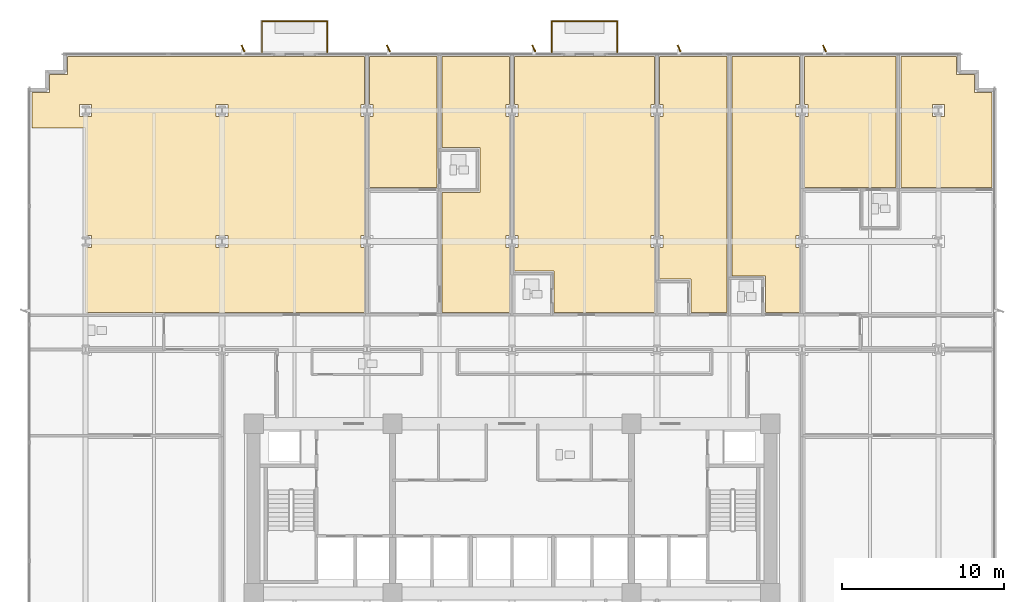
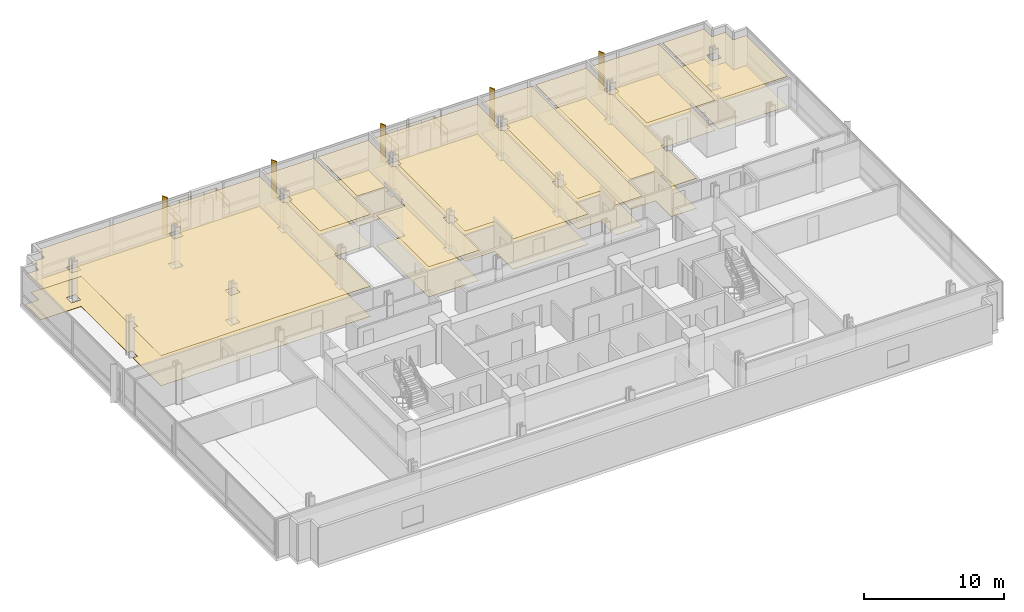
# One storey, part 16 of 17: 16 coverings, 6 railings, 5 shading devices.
"""IFC4 building model written with IfcOpenShell, lengths in metres."""

from ifc_helpers import new_model, si_unit, direction, frame, origin, origin_2d, place, context, subcontext, project, spatial, polyline, rectangle, circle, outline, extrude, material, layer, layer_set, type_object, element, save


model = new_model("IFC4")

# Units and contexts
model_context = context("Model", 3, precision=1e-05, world=origin(), true_north=direction((0.0, 1.0)))
body_context = subcontext(model_context, "Body", "Model", "MODEL_VIEW")
ifc_project = project(units=[si_unit("LENGTHUNIT", "METRE"), si_unit("AREAUNIT", "SQUARE_METRE"), si_unit("VOLUMEUNIT", "CUBIC_METRE"), si_unit("PLANEANGLEUNIT", "RADIAN"), si_unit("MASSUNIT", "GRAM", prefix="KILO")], contexts=[model_context])

# Site, building, storey
site_placement = place(None, origin())
site = spatial("IfcSite", under=ifc_project, at=site_placement, CompositionType="ELEMENT")
building_placement = place(site_placement, origin())
building = spatial("IfcBuilding", under=site, at=building_placement, Name="Solmavex Isthmus Hotel", CompositionType="ELEMENT")
storey_placement = place(building_placement, frame((0.0, 0.0, 47.10009765625)))
storey = spatial("IfcBuildingStorey", under=building, at=storey_placement, Name="L12", CompositionType="ELEMENT", Elevation=47.10009765625)

# Coverings
ifc_material_1 = material(Name="Gypsum plasterboard lining", Category="gypsum")
ifc_layer_1 = layer(ifc_material_1, 0.030029296875)
ifc_layer_set_1 = layer_set([ifc_layer_1], Name="Gypsum plasterboard lining")
covering_type_1 = type_object("IfcCoveringType", Name="COV-CEIL-GYP", PredefinedType="CEILING", material=ifc_layer_set_1)
covering_1_placement = place(storey_placement, frame((0.0, 0.0, 2.619873046875)))
element("IfcCovering", 1, at=covering_1_placement, inside=storey, type_object=covering_type_1, Name="Suspended Acoustic Ceiling L12-RM01", PredefinedType="CEILING", context=body_context, shape_type="SweptSolid", body=[
    extrude(outline(polyline([(-21.70703125, 4.385009765625), (-21.70703125, 4.405029296875), (-9.131103515625, 4.405029296875), (-9.131103515625, 8.407958984375), (-9.35595703125, 8.407958984375), (-9.35595703125, 9.16796875), (-9.131103515625, 9.16796875), (-9.131103515625, 16.52001953125), (-9.35595703125, 16.52001953125), (-9.35595703125, 17.280029296875), (-9.131103515625, 17.280029296875), (-9.131103515625, 20.22509765625), (-27.52490234375, 20.22509765625), (-27.52490234375, 19.125), (-28.625, 19.125), (-28.625, 18.02490234375), (-29.72509765625, 18.02490234375), (-29.72509765625, 15.800048828125), (-26.39990234375, 15.800048828125), (-26.39990234375, 9.16796875), (-26.02001953125, 9.16796875), (-26.02001953125, 8.407958984375), (-26.39990234375, 8.407958984375), (-26.39990234375, 4.385009765625), (-21.70703125, 4.385009765625)]), holes=[polyline([(-18.33203125, 8.407958984375), (-18.33203125, 9.16796875), (-17.572021484375, 9.16796875), (-17.572021484375, 8.407958984375), (-18.33203125, 8.407958984375)]), polyline([(-18.33203125, 17.280029296875), (-17.572021484375, 17.280029296875), (-17.572021484375, 16.52001953125), (-18.33203125, 16.52001953125), (-18.33203125, 17.280029296875)]), polyline([(-26.780029296875, 17.280029296875), (-26.02001953125, 17.280029296875), (-26.02001953125, 16.52001953125), (-26.780029296875, 16.52001953125), (-26.780029296875, 17.280029296875)])]), origin(), (0.0, 0.0, 1.0), 0.030029296875),
])
covering_2_placement = place(storey_placement, frame((0.0, 0.0, 2.619873046875)))
element("IfcCovering", 2, at=covering_2_placement, inside=storey, type_object=covering_type_1, Name="Suspended Acoustic Ceiling L12-SL02-BD", PredefinedType="CEILING", context=body_context, shape_type="SweptSolid", body=[
    extrude(outline(polyline([(-8.821044921875, 17.280029296875), (-8.595947265625, 17.280029296875), (-8.595947265625, 16.52001953125), (-8.821044921875, 16.52001953125), (-8.821044921875, 12.14306640625), (-4.64306640625, 12.14306640625), (-4.64306640625, 20.22509765625), (-8.821044921875, 20.22509765625), (-8.821044921875, 17.280029296875)])), origin(), (0.0, 0.0, 1.0), 0.030029296875),
])
covering_3_placement = place(storey_placement, frame((0.0, 0.0, 2.619873046875)))
element("IfcCovering", 3, at=covering_3_placement, inside=storey, type_object=covering_type_1, Name="Suspended Acoustic Ceiling L12-SV02", PredefinedType="CEILING", context=body_context, shape_type="SweptSolid", body=[
    extrude(outline(polyline([(-0.155029296875, 16.52001953125), (-0.3798828125, 16.52001953125), (-0.3798828125, 17.280029296875), (-0.155029296875, 17.280029296875), (-0.155029296875, 20.22509765625), (-4.3330078125, 20.22509765625), (-4.3330078125, 14.593017578125), (-1.98291015625, 14.593017578125), (-1.98291015625, 11.8330078125), (-4.3330078125, 11.8330078125), (-4.3330078125, 4.405029296875), (-0.155029296875, 4.405029296875), (-0.155029296875, 8.407958984375), (-0.3798828125, 8.407958984375), (-0.3798828125, 9.16796875), (-0.155029296875, 9.16796875), (-0.155029296875, 16.52001953125)])), origin(), (0.0, 0.0, 1.0), 0.030029296875),
])
covering_4_placement = place(storey_placement, frame((0.0, 0.0, 2.619873046875)))
element("IfcCovering", 4, at=covering_4_placement, inside=storey, type_object=covering_type_1, Name="Suspended Acoustic Ceiling L12-RM03", PredefinedType="CEILING", context=body_context, shape_type="SweptSolid", body=[
    extrude(outline(polyline([(0.155029296875, 9.16796875), (0.3798828125, 9.16796875), (0.3798828125, 8.407958984375), (0.155029296875, 8.407958984375), (0.155029296875, 6.955078125), (2.60498046875, 6.955078125), (2.60498046875, 4.405029296875), (8.821044921875, 4.405029296875), (8.821044921875, 8.407958984375), (8.595947265625, 8.407958984375), (8.595947265625, 9.16796875), (8.821044921875, 9.16796875), (8.821044921875, 16.52001953125), (8.595947265625, 16.52001953125), (8.595947265625, 17.280029296875), (8.821044921875, 17.280029296875), (8.821044921875, 20.22509765625), (0.155029296875, 20.22509765625), (0.155029296875, 17.280029296875), (0.3798828125, 17.280029296875), (0.3798828125, 16.52001953125), (0.155029296875, 16.52001953125), (0.155029296875, 9.16796875)])), origin(), (0.0, 0.0, 1.0), 0.030029296875),
])
covering_5_placement = place(storey_placement, frame((0.0, 0.0, 2.619873046875)))
element("IfcCovering", 5, at=covering_5_placement, inside=storey, type_object=covering_type_1, Name="Suspended Acoustic Ceiling L12-RM04", PredefinedType="CEILING", context=body_context, shape_type="SweptSolid", body=[
    extrude(outline(polyline([(9.131103515625, 9.16796875), (9.35595703125, 9.16796875), (9.35595703125, 8.407958984375), (9.131103515625, 8.407958984375), (9.131103515625, 6.455078125), (11.0810546875, 6.455078125), (11.0810546875, 4.405029296875), (13.30908203125, 4.405029296875), (13.30908203125, 20.22509765625), (9.131103515625, 20.22509765625), (9.131103515625, 17.280029296875), (9.35595703125, 17.280029296875), (9.35595703125, 16.52001953125), (9.131103515625, 16.52001953125), (9.131103515625, 9.16796875)])), origin(), (0.0, 0.0, 1.0), 0.030029296875),
])
covering_6_placement = place(storey_placement, frame((0.0, 0.0, 2.619873046875)))
element("IfcCovering", 6, at=covering_6_placement, inside=storey, type_object=covering_type_1, Name="Suspended Acoustic Ceiling L12-RM05", PredefinedType="CEILING", context=body_context, shape_type="SweptSolid", body=[
    extrude(outline(polyline([(17.797119140625, 16.52001953125), (17.572021484375, 16.52001953125), (17.572021484375, 17.280029296875), (17.797119140625, 17.280029296875), (17.797119140625, 20.22509765625), (13.618896484375, 20.22509765625), (13.618896484375, 6.655029296875), (15.68359375, 6.655029296875), (15.68359375, 4.405029296875), (17.797119140625, 4.405029296875), (17.797119140625, 8.407958984375), (17.572021484375, 8.407958984375), (17.572021484375, 9.16796875), (17.797119140625, 9.16796875), (17.797119140625, 16.52001953125)])), origin(), (0.0, 0.0, 1.0), 0.030029296875),
])
covering_7_placement = place(storey_placement, frame((0.0, 0.0, 2.619873046875)))
element("IfcCovering", 7, at=covering_7_placement, inside=storey, type_object=covering_type_1, Name="Suspended Acoustic Ceiling L12-TB06", PredefinedType="CEILING", context=body_context, shape_type="SweptSolid", body=[
    extrude(outline(polyline([(18.10693359375, 17.280029296875), (18.33203125, 17.280029296875), (18.33203125, 16.52001953125), (18.10693359375, 16.52001953125), (18.10693359375, 12.14306640625), (23.760986328125, 12.14306640625), (23.760986328125, 20.22509765625), (18.10693359375, 20.22509765625), (18.10693359375, 17.280029296875)])), origin(), (0.0, 0.0, 1.0), 0.030029296875),
])
covering_8_placement = place(storey_placement, frame((0.0, 0.0, 2.619873046875)))
element("IfcCovering", 8, at=covering_8_placement, inside=storey, type_object=covering_type_1, Name="Suspended Acoustic Ceiling L12-TL06", PredefinedType="CEILING", context=body_context, shape_type="SweptSolid", body=[
    extrude(outline(polyline([(27.52490234375, 19.125), (27.52490234375, 20.22509765625), (24.071044921875, 20.22509765625), (24.071044921875, 12.14306640625), (29.72509765625, 12.14306640625), (29.72509765625, 18.02490234375), (28.625, 18.02490234375), (28.625, 19.125), (27.52490234375, 19.125)]), holes=[polyline([(26.02001953125, 16.52001953125), (26.02001953125, 17.280029296875), (26.780029296875, 17.280029296875), (26.780029296875, 16.52001953125), (26.02001953125, 16.52001953125)])]), origin(), (0.0, 0.0, 1.0), 0.030029296875),
])
ifc_material_2 = material(Name="Travertine natural stone", Category="masonry")
ifc_layer_2 = layer(ifc_material_2, 0.02490234375)
ifc_layer_set_2 = layer_set([ifc_layer_2], Name="Travertine natural stone")
covering_type_2 = type_object("IfcCoveringType", Name="COV-FLOR-STN", PredefinedType="FLOORING", material=ifc_layer_set_2)
covering_9_placement = place(storey_placement, origin())
element("IfcCovering", 9, at=covering_9_placement, inside=storey, type_object=covering_type_2, Name="Stone and Timber Floor Finish L12-RM01", PredefinedType="FLOORING", context=body_context, shape_type="SweptSolid", body=[
    extrude(outline(polyline([(-21.70703125, 4.385009765625), (-21.70703125, 4.405029296875), (-9.131103515625, 4.405029296875), (-9.131103515625, 8.407958984375), (-9.35595703125, 8.407958984375), (-9.35595703125, 9.16796875), (-9.131103515625, 9.16796875), (-9.131103515625, 16.52001953125), (-9.35595703125, 16.52001953125), (-9.35595703125, 17.280029296875), (-9.131103515625, 17.280029296875), (-9.131103515625, 20.22509765625), (-27.52490234375, 20.22509765625), (-27.52490234375, 19.125), (-28.625, 19.125), (-28.625, 18.02490234375), (-29.72509765625, 18.02490234375), (-29.72509765625, 15.800048828125), (-26.39990234375, 15.800048828125), (-26.39990234375, 9.16796875), (-26.02001953125, 9.16796875), (-26.02001953125, 8.407958984375), (-26.39990234375, 8.407958984375), (-26.39990234375, 4.385009765625), (-21.70703125, 4.385009765625)]), holes=[polyline([(-18.33203125, 8.407958984375), (-18.33203125, 9.16796875), (-17.572021484375, 9.16796875), (-17.572021484375, 8.407958984375), (-18.33203125, 8.407958984375)]), polyline([(-18.33203125, 17.280029296875), (-17.572021484375, 17.280029296875), (-17.572021484375, 16.52001953125), (-18.33203125, 16.52001953125), (-18.33203125, 17.280029296875)]), polyline([(-26.780029296875, 17.280029296875), (-26.02001953125, 17.280029296875), (-26.02001953125, 16.52001953125), (-26.780029296875, 16.52001953125), (-26.780029296875, 17.280029296875)])]), origin(), (0.0, 0.0, 1.0), 0.02490234375),
])
covering_10_placement = place(storey_placement, origin())
element("IfcCovering", 10, at=covering_10_placement, inside=storey, type_object=covering_type_2, Name="Stone and Timber Floor Finish L12-SL02-BD", PredefinedType="FLOORING", context=body_context, shape_type="SweptSolid", body=[
    extrude(outline(polyline([(-8.821044921875, 17.280029296875), (-8.595947265625, 17.280029296875), (-8.595947265625, 16.52001953125), (-8.821044921875, 16.52001953125), (-8.821044921875, 12.14306640625), (-4.64306640625, 12.14306640625), (-4.64306640625, 20.22509765625), (-8.821044921875, 20.22509765625), (-8.821044921875, 17.280029296875)])), origin(), (0.0, 0.0, 1.0), 0.02490234375),
])
covering_11_placement = place(storey_placement, origin())
element("IfcCovering", 11, at=covering_11_placement, inside=storey, type_object=covering_type_2, Name="Stone and Timber Floor Finish L12-SV02", PredefinedType="FLOORING", context=body_context, shape_type="SweptSolid", body=[
    extrude(outline(polyline([(-0.155029296875, 16.52001953125), (-0.3798828125, 16.52001953125), (-0.3798828125, 17.280029296875), (-0.155029296875, 17.280029296875), (-0.155029296875, 20.22509765625), (-4.3330078125, 20.22509765625), (-4.3330078125, 14.593017578125), (-1.98291015625, 14.593017578125), (-1.98291015625, 11.8330078125), (-4.3330078125, 11.8330078125), (-4.3330078125, 4.405029296875), (-0.155029296875, 4.405029296875), (-0.155029296875, 8.407958984375), (-0.3798828125, 8.407958984375), (-0.3798828125, 9.16796875), (-0.155029296875, 9.16796875), (-0.155029296875, 16.52001953125)])), origin(), (0.0, 0.0, 1.0), 0.02490234375),
])
covering_12_placement = place(storey_placement, origin())
element("IfcCovering", 12, at=covering_12_placement, inside=storey, type_object=covering_type_2, Name="Stone and Timber Floor Finish L12-RM03", PredefinedType="FLOORING", context=body_context, shape_type="SweptSolid", body=[
    extrude(outline(polyline([(0.155029296875, 9.16796875), (0.3798828125, 9.16796875), (0.3798828125, 8.407958984375), (0.155029296875, 8.407958984375), (0.155029296875, 6.955078125), (2.60498046875, 6.955078125), (2.60498046875, 4.405029296875), (8.821044921875, 4.405029296875), (8.821044921875, 8.407958984375), (8.595947265625, 8.407958984375), (8.595947265625, 9.16796875), (8.821044921875, 9.16796875), (8.821044921875, 16.52001953125), (8.595947265625, 16.52001953125), (8.595947265625, 17.280029296875), (8.821044921875, 17.280029296875), (8.821044921875, 20.22509765625), (0.155029296875, 20.22509765625), (0.155029296875, 17.280029296875), (0.3798828125, 17.280029296875), (0.3798828125, 16.52001953125), (0.155029296875, 16.52001953125), (0.155029296875, 9.16796875)])), origin(), (0.0, 0.0, 1.0), 0.02490234375),
])
covering_13_placement = place(storey_placement, origin())
element("IfcCovering", 13, at=covering_13_placement, inside=storey, type_object=covering_type_2, Name="Stone and Timber Floor Finish L12-RM04", PredefinedType="FLOORING", context=body_context, shape_type="SweptSolid", body=[
    extrude(outline(polyline([(9.131103515625, 9.16796875), (9.35595703125, 9.16796875), (9.35595703125, 8.407958984375), (9.131103515625, 8.407958984375), (9.131103515625, 6.455078125), (11.0810546875, 6.455078125), (11.0810546875, 4.405029296875), (13.30908203125, 4.405029296875), (13.30908203125, 20.22509765625), (9.131103515625, 20.22509765625), (9.131103515625, 17.280029296875), (9.35595703125, 17.280029296875), (9.35595703125, 16.52001953125), (9.131103515625, 16.52001953125), (9.131103515625, 9.16796875)])), origin(), (0.0, 0.0, 1.0), 0.02490234375),
])
covering_14_placement = place(storey_placement, origin())
element("IfcCovering", 14, at=covering_14_placement, inside=storey, type_object=covering_type_2, Name="Stone and Timber Floor Finish L12-RM05", PredefinedType="FLOORING", context=body_context, shape_type="SweptSolid", body=[
    extrude(outline(polyline([(17.797119140625, 16.52001953125), (17.572021484375, 16.52001953125), (17.572021484375, 17.280029296875), (17.797119140625, 17.280029296875), (17.797119140625, 20.22509765625), (13.618896484375, 20.22509765625), (13.618896484375, 6.655029296875), (15.68359375, 6.655029296875), (15.68359375, 4.405029296875), (17.797119140625, 4.405029296875), (17.797119140625, 8.407958984375), (17.572021484375, 8.407958984375), (17.572021484375, 9.16796875), (17.797119140625, 9.16796875), (17.797119140625, 16.52001953125)])), origin(), (0.0, 0.0, 1.0), 0.02490234375),
])
covering_15_placement = place(storey_placement, origin())
element("IfcCovering", 15, at=covering_15_placement, inside=storey, type_object=covering_type_2, Name="Stone and Timber Floor Finish L12-TB06", PredefinedType="FLOORING", context=body_context, shape_type="SweptSolid", body=[
    extrude(outline(polyline([(18.10693359375, 17.280029296875), (18.33203125, 17.280029296875), (18.33203125, 16.52001953125), (18.10693359375, 16.52001953125), (18.10693359375, 12.14306640625), (23.760986328125, 12.14306640625), (23.760986328125, 20.22509765625), (18.10693359375, 20.22509765625), (18.10693359375, 17.280029296875)])), origin(), (0.0, 0.0, 1.0), 0.02490234375),
])
covering_16_placement = place(storey_placement, origin())
element("IfcCovering", 16, at=covering_16_placement, inside=storey, type_object=covering_type_2, Name="Stone and Timber Floor Finish L12-TL06", PredefinedType="FLOORING", context=body_context, shape_type="SweptSolid", body=[
    extrude(outline(polyline([(27.52490234375, 19.125), (27.52490234375, 20.22509765625), (24.071044921875, 20.22509765625), (24.071044921875, 12.14306640625), (29.72509765625, 12.14306640625), (29.72509765625, 18.02490234375), (28.625, 18.02490234375), (28.625, 19.125), (27.52490234375, 19.125)]), holes=[polyline([(26.02001953125, 16.52001953125), (26.02001953125, 17.280029296875), (26.780029296875, 17.280029296875), (26.780029296875, 16.52001953125), (26.02001953125, 16.52001953125)])]), origin(), (0.0, 0.0, 1.0), 0.02490234375),
])

# Railings
ifc_material_3 = material(Name="Clear low-E laminated glass", Category="glass")
ifc_layer_3 = layer(ifc_material_3, 0.070068359375)
ifc_layer_set_3 = layer_set([ifc_layer_3], Name="Clear low-E laminated glass")
railing_type = type_object("IfcRailingType", Name="RAIL-GUARD-1100", PredefinedType="BALUSTRADE", material=ifc_layer_set_3)
railing_1_placement = place(storey_placement, frame((-15.48388671875, 20.5, 0.0)))
element("IfcRailing", 17, at=railing_1_placement, inside=storey, type_object=railing_type, Name="Guardrail Balustrade L12-BAL1-01", PredefinedType="BALUSTRADE", context=body_context, shape_type="SweptSolid", body=[
    extrude(circle(Radius=0.02392578125, at=origin_2d()), frame((0.0, 0.0, 1.09619140625), z_axis=(0.0, 1.0, 0.0), x_axis=(-1.0, 0.0, 0.0)), (0.0, 0.0, 1.0), 1.919921875),
    extrude(circle(Radius=0.02392578125, at=origin_2d()), frame((0.0, 0.0, 0.56005859375), z_axis=(0.0, 1.0, 0.0), x_axis=(-1.0, 0.0, 0.0)), (0.0, 0.0, 1.0), 1.919921875),
    extrude(circle(Radius=0.02099609375, at=origin_2d()), origin(), (0.0, 0.0, 1.0), 1.072021484375),
    extrude(circle(Radius=0.02099609375, at=origin_2d()), frame((0.0, 0.9599609375, 0.0)), (0.0, 0.0, 1.0), 1.072021484375),
    extrude(circle(Radius=0.02099609375, at=origin_2d()), frame((0.0, 1.919921875, 0.0)), (0.0, 0.0, 1.0), 1.072021484375),
])
railing_2_placement = place(storey_placement, frame((-15.48388671875, 22.419921875, 0.0)))
element("IfcRailing", 18, at=railing_2_placement, inside=storey, type_object=railing_type, Name="Guardrail Balustrade L12-BAL1-02", PredefinedType="BALUSTRADE", context=body_context, shape_type="SweptSolid", body=[
    extrude(circle(Radius=0.02392578125, at=origin_2d()), frame((0.0, 0.0, 1.09619140625), z_axis=(1.0, 0.0, 0.0), x_axis=(0.0, 1.0, 0.0)), (0.0, 0.0, 1.0), 4.039794921875),
    extrude(circle(Radius=0.02392578125, at=origin_2d()), frame((0.0, 0.0, 0.56005859375), z_axis=(1.0, 0.0, 0.0), x_axis=(0.0, 1.0, 0.0)), (0.0, 0.0, 1.0), 4.039794921875),
    extrude(circle(Radius=0.02099609375, at=origin_2d()), origin(), (0.0, 0.0, 1.0), 1.072021484375),
    extrude(circle(Radius=0.02099609375, at=origin_2d()), frame((1.010009765625, 0.0, 0.0)), (0.0, 0.0, 1.0), 1.072021484375),
    extrude(circle(Radius=0.02099609375, at=origin_2d()), frame((2.02001953125, 0.0, 0.0)), (0.0, 0.0, 1.0), 1.072021484375),
    extrude(circle(Radius=0.02099609375, at=origin_2d()), frame((3.02978515625, 0.0, 0.0)), (0.0, 0.0, 1.0), 1.072021484375),
    extrude(circle(Radius=0.02099609375, at=origin_2d()), frame((4.039794921875, 0.0, 0.0)), (0.0, 0.0, 1.0), 1.072021484375),
])
railing_3_placement = place(storey_placement, frame((-11.444091796875, 22.419921875, 0.0)))
element("IfcRailing", 19, at=railing_3_placement, inside=storey, type_object=railing_type, Name="Guardrail Balustrade L12-BAL1-03", PredefinedType="BALUSTRADE", context=body_context, shape_type="SweptSolid", body=[
    extrude(circle(Radius=0.02392578125, at=origin_2d()), frame((0.0, 0.0, 1.09619140625), z_axis=(0.0, -1.0, 0.0), x_axis=(1.0, 0.0, 0.0)), (0.0, 0.0, 1.0), 1.919921875),
    extrude(circle(Radius=0.02392578125, at=origin_2d()), frame((0.0, 0.0, 0.56005859375), z_axis=(0.0, -1.0, 0.0), x_axis=(1.0, 0.0, 0.0)), (0.0, 0.0, 1.0), 1.919921875),
    extrude(circle(Radius=0.02099609375, at=origin_2d()), origin(), (0.0, 0.0, 1.0), 1.072021484375),
    extrude(circle(Radius=0.02099609375, at=origin_2d()), frame((0.0, -0.9599609375, 0.0)), (0.0, 0.0, 1.0), 1.072021484375),
    extrude(circle(Radius=0.02099609375, at=origin_2d()), frame((0.0, -1.919921875, 0.0)), (0.0, 0.0, 1.0), 1.072021484375),
])
railing_4_placement = place(storey_placement, frame((2.468017578125, 20.5, 0.0)))
element("IfcRailing", 20, at=railing_4_placement, inside=storey, type_object=railing_type, Name="Guardrail Balustrade L12-BAL2-01", PredefinedType="BALUSTRADE", context=body_context, shape_type="SweptSolid", body=[
    extrude(circle(Radius=0.02392578125, at=origin_2d()), frame((0.0, 0.0, 1.09619140625), z_axis=(0.0, 1.0, 0.0), x_axis=(-1.0, 0.0, 0.0)), (0.0, 0.0, 1.0), 1.919921875),
    extrude(circle(Radius=0.02392578125, at=origin_2d()), frame((0.0, 0.0, 0.56005859375), z_axis=(0.0, 1.0, 0.0), x_axis=(-1.0, 0.0, 0.0)), (0.0, 0.0, 1.0), 1.919921875),
    extrude(circle(Radius=0.02099609375, at=origin_2d()), origin(), (0.0, 0.0, 1.0), 1.072021484375),
    extrude(circle(Radius=0.02099609375, at=origin_2d()), frame((0.0, 0.9599609375, 0.0)), (0.0, 0.0, 1.0), 1.072021484375),
    extrude(circle(Radius=0.02099609375, at=origin_2d()), frame((0.0, 1.919921875, 0.0)), (0.0, 0.0, 1.0), 1.072021484375),
])
railing_5_placement = place(storey_placement, frame((2.468017578125, 22.419921875, 0.0)))
element("IfcRailing", 21, at=railing_5_placement, inside=storey, type_object=railing_type, Name="Guardrail Balustrade L12-BAL2-02", PredefinedType="BALUSTRADE", context=body_context, shape_type="SweptSolid", body=[
    extrude(circle(Radius=0.02392578125, at=origin_2d()), frame((0.0, 0.0, 1.09619140625), z_axis=(1.0, 0.0, 0.0), x_axis=(0.0, 1.0, 0.0)), (0.0, 0.0, 1.0), 4.0400390625),
    extrude(circle(Radius=0.02392578125, at=origin_2d()), frame((0.0, 0.0, 0.56005859375), z_axis=(1.0, 0.0, 0.0), x_axis=(0.0, 1.0, 0.0)), (0.0, 0.0, 1.0), 4.0400390625),
    extrude(circle(Radius=0.02099609375, at=origin_2d()), origin(), (0.0, 0.0, 1.0), 1.072021484375),
    extrude(circle(Radius=0.02099609375, at=origin_2d()), frame((1.010009765625, 0.0, 0.0)), (0.0, 0.0, 1.0), 1.072021484375),
    extrude(circle(Radius=0.02099609375, at=origin_2d()), frame((2.02001953125, 0.0, 0.0)), (0.0, 0.0, 1.0), 1.072021484375),
    extrude(circle(Radius=0.02099609375, at=origin_2d()), frame((3.030029296875, 0.0, 0.0)), (0.0, 0.0, 1.0), 1.072021484375),
    extrude(circle(Radius=0.02099609375, at=origin_2d()), frame((4.0400390625, 0.0, 0.0)), (0.0, 0.0, 1.0), 1.072021484375),
])
railing_6_placement = place(storey_placement, frame((6.508056640625, 22.419921875, 0.0)))
element("IfcRailing", 22, at=railing_6_placement, inside=storey, type_object=railing_type, Name="Guardrail Balustrade L12-BAL2-03", PredefinedType="BALUSTRADE", context=body_context, shape_type="SweptSolid", body=[
    extrude(circle(Radius=0.02392578125, at=origin_2d()), frame((0.0, 0.0, 1.09619140625), z_axis=(0.0, -1.0, 0.0), x_axis=(1.0, 0.0, 0.0)), (0.0, 0.0, 1.0), 1.919921875),
    extrude(circle(Radius=0.02392578125, at=origin_2d()), frame((0.0, 0.0, 0.56005859375), z_axis=(0.0, -1.0, 0.0), x_axis=(1.0, 0.0, 0.0)), (0.0, 0.0, 1.0), 1.919921875),
    extrude(circle(Radius=0.02099609375, at=origin_2d()), origin(), (0.0, 0.0, 1.0), 1.072021484375),
    extrude(circle(Radius=0.02099609375, at=origin_2d()), frame((0.0, -0.9599609375, 0.0)), (0.0, 0.0, 1.0), 1.072021484375),
    extrude(circle(Radius=0.02099609375, at=origin_2d()), frame((0.0, -1.919921875, 0.0)), (0.0, 0.0, 1.0), 1.072021484375),
])

# Shading devices
ifc_material_4 = material(Name="Aluminium alloy 6063-T6", Category="aluminium")
shading_device_type = type_object("IfcShadingDeviceType", Name="SHD-FIN-BRONZE", PredefinedType="USERDEFINED", material=ifc_material_4)
for number, where, z_axis, x_axis, name in (
    (23, (-16.64990234375, 20.739990234375, -0.14013671875), (0.0, 0.0, 1.0), (-0.438371146789, 0.898794046299, 0.0), "Anodised Aluminium Solar Fin L12-N1"),
    (24, (-7.64990234375, 20.739990234375, -0.14013671875), (0.0, 0.0, 1.0), (-0.438371146789, 0.898794046299, 0.0), "Anodised Aluminium Solar Fin L12-N2"),
    (25, (1.35009765625, 20.739990234375, -0.14013671875), (0.0, 0.0, 1.0), (-0.438371146789, 0.898794046299, 0.0), "Anodised Aluminium Solar Fin L12-N3"),
    (26, (10.35009765625, 20.739990234375, -0.14013671875), (0.0, 0.0, 1.0), (-0.438371146789, 0.898794046299, 0.0), "Anodised Aluminium Solar Fin L12-N4"),
    (27, (19.35009765625, 20.739990234375, -0.14013671875), (0.0, 0.0, 1.0), (-0.438371146789, 0.898794046299, 0.0), "Anodised Aluminium Solar Fin L12-N5"),
):
    element("IfcShadingDevice", number, at=place(storey_placement, frame(where, z_axis=z_axis, x_axis=x_axis)), inside=storey, type_object=shading_device_type, Name=name, ObjectType="SOLAR_FIN", PredefinedType="USERDEFINED", context=body_context, shape_type="SweptSolid", body=[
        extrude(rectangle(XDim=0.449951171875, YDim=0.080078125, at=origin_2d()), origin(), (0.0, 0.0, 1.0), 3.330078125),
    ])

save(model, "model.ifc")
